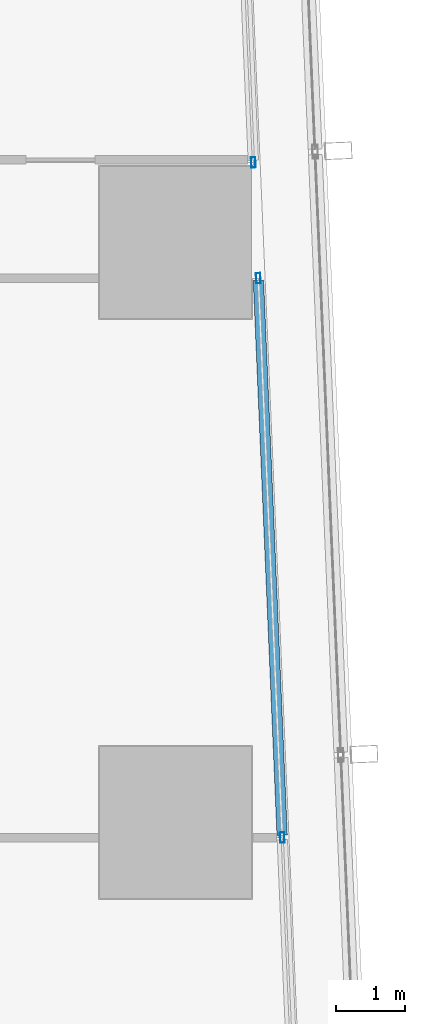
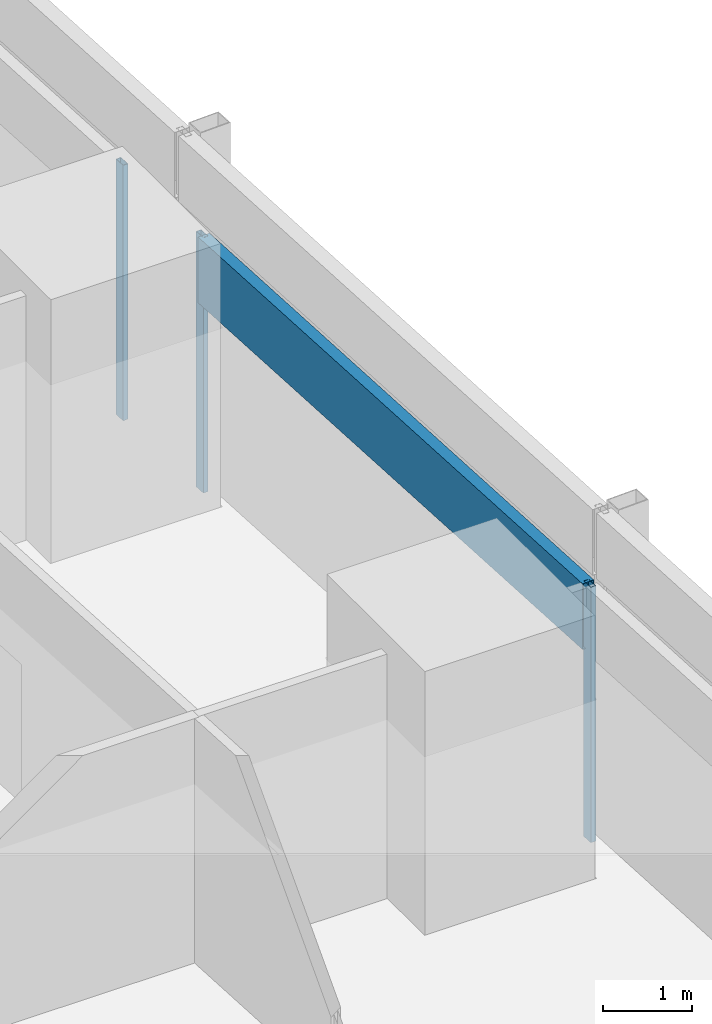
# One storey, part 20 of 44: 4 members, 2 elements without a shape of their own.
"""IFC4 building model written with IfcOpenShell, lengths in metres."""

import ifcopenshell
import ifcopenshell.guid

model = None  # the IFC model being written
_history = None  # IfcOwnerHistory: only IFC2X3 demands one
_inside = {}  # id of a spatial element -> (the spatial element, [elements in it])
_under = {}  # id of a project, library or spatial element -> (it, [spatial elements below it])
_declared = {}  # id of a project -> (the project, [libraries it declares])
_typed = {}  # id of a type object -> (the type object, [elements of that type])
_made_of = {}  # id of a material, layer set ... -> (it, [elements and type objects made of it])


def new_model(schema):
    """Start an empty IFC model of exactly this schema.

    Asked for "IFC4X3", IfcOpenShell would pick the latest addendum, in which some entities
    have other attributes; the version numbers below select the first issue.
    IFC2X3 requires an IfcOwnerHistory on every rooted entity: one is made here for all.
    """
    global model, _history
    if schema == "IFC4X3":
        model = ifcopenshell.file(schema_version=(4, 3, 0, 0))
    else:
        model = ifcopenshell.file(schema=schema)
    _inside.clear()
    _under.clear()
    _declared.clear()
    _typed.clear()
    _made_of.clear()
    _history = None
    if model.schema == "IFC2X3":
        org = make("IfcOrganization", Name="unknown")
        user = make(
            "IfcPersonAndOrganization",
            ThePerson=make("IfcPerson", FamilyName="unknown"),
            TheOrganization=org,
        )
        app = make(
            "IfcApplication",
            ApplicationDeveloper=org,
            Version="unknown",
            ApplicationFullName="unknown",
            ApplicationIdentifier="unknown",
        )
        _history = make(
            "IfcOwnerHistory",
            OwningUser=user,
            OwningApplication=app,
            ChangeAction="ADDED",
            CreationDate=0,
        )
    return model


def make(cls, **values):
    """One entity of the class cls with the attributes given. An attribute that is None is left unset."""
    return model.create_entity(
        cls, **{name: value for name, value in values.items() if value is not None}
    )


def rooted(cls, **values):
    """An entity with a GlobalId (a new one), such as an element, a storey or a relation."""
    return make(cls, GlobalId=ifcopenshell.guid.new(), OwnerHistory=_history, **values)


def si_unit(unit_type, name, prefix=None):
    """IfcSIUnit, for example si_unit("LENGTHUNIT", "METRE", prefix="MILLI")."""
    return make("IfcSIUnit", UnitType=unit_type, Prefix=prefix, Name=name)


def assignment(units):
    """IfcUnitAssignment: the units of a project."""
    return None if units is None else make("IfcUnitAssignment", Units=units)


def point(xyz):
    """IfcCartesianPoint."""
    return None if xyz is None else make("IfcCartesianPoint", Coordinates=xyz)


def direction(xyz):
    """IfcDirection."""
    return None if xyz is None else make("IfcDirection", DirectionRatios=xyz)


def frame(location, z_axis=None, x_axis=None):
    """IfcAxis2Placement3D, a coordinate frame: its origin and axes. An axis left out is left unset."""
    return make(
        "IfcAxis2Placement3D",
        Location=point(location),
        Axis=direction(z_axis),
        RefDirection=direction(x_axis),
    )


def frame_2d(location, x_axis=None):
    """IfcAxis2Placement2D, a coordinate frame in the plane: its origin and x axis."""
    return make(
        "IfcAxis2Placement2D", Location=point(location), RefDirection=direction(x_axis)
    )


def origin():
    """The frame at (0, 0, 0) with its axes left unset."""
    return frame((0.0, 0.0, 0.0))


def origin_2d():
    """The frame at (0, 0) in the plane with its x axis left unset."""
    return frame_2d((0.0, 0.0))


def place(relative_to, where):
    """IfcLocalPlacement: puts the frame where relative to a parent placement (None: the world)."""
    return make(
        "IfcLocalPlacement", PlacementRelTo=relative_to, RelativePlacement=where
    )


def context(
    kind, dimensions, precision=None, world=None, true_north=None, identifier=None
):
    """IfcGeometricRepresentationContext, for example the 3D "Model" context."""
    return make(
        "IfcGeometricRepresentationContext",
        ContextIdentifier=identifier,
        ContextType=kind,
        CoordinateSpaceDimension=dimensions,
        Precision=precision,
        WorldCoordinateSystem=world,
        TrueNorth=true_north,
    )


def subcontext(parent, identifier, kind, view, scale=None):
    """IfcGeometricRepresentationSubContext, for example "Body" below "Model"."""
    return make(
        "IfcGeometricRepresentationSubContext",
        ContextIdentifier=identifier,
        ContextType=kind,
        ParentContext=parent,
        TargetScale=scale,
        TargetView=view,
    )


def project(units=None, contexts=None):
    """IfcProject with its units and contexts."""
    return rooted(
        "IfcProject",
        Name="project",
        RepresentationContexts=contexts,
        UnitsInContext=assignment(units),
    )


def spatial(cls, under=None, at=None, **own):
    """A site, building, storey or space (cls), placed at a placement, below another one or the project."""
    s = rooted(cls, ObjectPlacement=at, **own)
    if under is not None:
        _under.setdefault(under.id(), (under, []))[1].append(s)
    return s


def profile(cls, at=None, kind="AREA", **sizes):
    """A parametric profile (cls). Its sizes go by their IFC names, for example OverallWidth=200.0."""
    return make(cls, ProfileType=kind, Position=at, **sizes)


def hollow_rectangle(**sizes):
    """IfcRectangleHollowProfileDef."""
    return profile("IfcRectangleHollowProfileDef", **sizes)


def extrude(swept, where, along, depth):
    """IfcExtrudedAreaSolid: the profile swept, set in the frame where, extruded along a direction by depth."""
    return make(
        "IfcExtrudedAreaSolid",
        SweptArea=swept,
        Position=where,
        ExtrudedDirection=direction(along),
        Depth=depth,
    )


def shape(context_of_items, identifier, shape_type, items):
    """IfcShapeRepresentation: the items that make up one representation, for example the "Body"."""
    return make(
        "IfcShapeRepresentation",
        ContextOfItems=context_of_items,
        RepresentationIdentifier=identifier,
        RepresentationType=shape_type,
        Items=items,
    )


def material(Name=None, Category=None):
    """IfcMaterial."""
    return make("IfcMaterial", Name=Name, Category=Category)


def material_profile(
    of_material, cross_section, Name=None, Category=None, Priority=None
):
    """IfcMaterialProfile: a cross section and its material."""
    return make(
        "IfcMaterialProfile",
        Name=Name,
        Material=of_material,
        Profile=cross_section,
        Priority=Priority,
        Category=Category,
    )


def profile_set(profiles, Name=None, composite=None):
    """IfcMaterialProfileSet."""
    return make(
        "IfcMaterialProfileSet",
        Name=Name,
        MaterialProfiles=profiles,
        CompositeProfile=composite,
    )


def made_of(thing, what):
    """Note that an element or type object is made of a material, layer set ...; save() writes the relation."""
    if what is not None:
        _made_of.setdefault(what.id(), (what, []))[1].append(thing)
    return thing


def type_object(cls, material=None, **own):
    """A type object (cls), such as IfcWallType, which elements share."""
    return made_of(rooted(cls, **own), material)


def element(
    cls,
    number,
    at=None,
    inside=None,
    cuts=None,
    type_object=None,
    material=None,
    context=None,
    identifier="Body",
    shape_type=None,
    held_by="IfcProductDefinitionShape",
    body=None,
    shapes=None,
    **own,
):
    """One element of the class cls, such as IfcWall. Its Tag is "e" and its number.

    at: its placement. inside: the storey or other place that contains it. cuts: it is an
    opening in that element (IfcRelVoidsElement). A single representation is given by context,
    identifier, shape_type and body (its items); several are given by shapes. held_by: the class
    of the entity that holds the representations. save() writes the other relations.
    """
    e = rooted(cls, Tag="e%d" % number, ObjectPlacement=at, **own)
    if body is not None:
        shapes = [shape(context, identifier, shape_type, body)]
    if shapes is not None:
        e.Representation = make(held_by, Representations=shapes)
    if inside is not None:
        _inside.setdefault(inside.id(), (inside, []))[1].append(e)
    if cuts is not None:
        rooted(
            "IfcRelVoidsElement", RelatingBuildingElement=cuts, RelatedOpeningElement=e
        )
    if type_object is not None:
        _typed.setdefault(type_object.id(), (type_object, []))[1].append(e)
    return made_of(e, material)


def aggregate(whole, parts):
    """IfcRelAggregates: a whole, such as a stair, and the parts it consists of."""
    return rooted("IfcRelAggregates", RelatingObject=whole, RelatedObjects=parts)


def save(model, path):
    """Write the relations noted so far, then the file.

    IfcRelAggregates (storeys below a building ...), IfcRelContainedInSpatialStructure (elements
    in a storey), IfcRelDefinesByType, IfcRelAssociatesMaterial and IfcRelDeclares: one each for
    every whole, place, type object, material and project.
    """
    for whole, parts in _under.values():
        aggregate(whole, parts)
    for where, things in _inside.values():
        rooted(
            "IfcRelContainedInSpatialStructure",
            RelatedElements=things,
            RelatingStructure=where,
        )
    for kind, things in _typed.values():
        rooted("IfcRelDefinesByType", RelatedObjects=things, RelatingType=kind)
    for what, things in _made_of.values():
        rooted("IfcRelAssociatesMaterial", RelatedObjects=things, RelatingMaterial=what)
    for by, libraries in _declared.values():
        rooted("IfcRelDeclares", RelatingContext=by, RelatedDefinitions=libraries)
    model.write(path)


model = new_model("IFC4")

# Units and contexts
model_context = context("Model", 3, precision=1e-05, world=origin(), true_north=direction((0.0, 1.0)))
body_context = subcontext(model_context, "Body", "Model", "MODEL_VIEW")
ifc_project = project(units=[si_unit("LENGTHUNIT", "METRE"), si_unit("AREAUNIT", "SQUARE_METRE"), si_unit("VOLUMEUNIT", "CUBIC_METRE"), si_unit("PLANEANGLEUNIT", "RADIAN"), si_unit("MASSUNIT", "GRAM", prefix="KILO")], contexts=[model_context])

# Site, building, storey
site_placement = place(None, origin())
site = spatial("IfcSite", under=ifc_project, at=site_placement, CompositionType="ELEMENT")
building_placement = place(site_placement, origin())
building = spatial("IfcBuilding", under=site, at=building_placement, Name="Rekha Terrace Tower", CompositionType="ELEMENT")
storey_placement = place(building_placement, frame((0.0, 0.0, 59.14990234375)))
storey = spatial("IfcBuildingStorey", under=building, at=storey_placement, Name="L14", CompositionType="ELEMENT", Elevation=59.14990234375)

# Curtain wall, members
ifc_material_1 = material(Name="Aluminium framing", Category="aluminium")
curtain_wall_type = type_object("IfcCurtainWallType", Name="CW1 double skin inner glazing", PredefinedType="USERDEFINED", material=ifc_material_1)
curtain_wall_1_placement = place(storey_placement, origin())
curtain_wall_1 = element("IfcCurtainWall", 1, at=curtain_wall_1_placement, inside=storey, type_object=curtain_wall_type, Name="CW1 double skin inner glazing", ObjectType="DOUBLE SKIN INNER GLAZING", PredefinedType="USERDEFINED")
ifc_material_2 = material(Name="Aluminium mullion section", Category="aluminium")
ifc_material_profile_1 = material_profile(ifc_material_2, hollow_rectangle(XDim=0.06494140625, YDim=0.14990234375, WallThickness=0.00390625, at=origin_2d()), Name="AL RHS 65x150")
ifc_profile_set_1 = profile_set([ifc_material_profile_1], Name="Aluminium mullion section")
member_type_1 = type_object("IfcMemberType", Name="CW1 mullion RHS 65 x 150", PredefinedType="MULLION", material=ifc_profile_set_1)
member_1_placement = place(storey_placement, frame((68.7431640625, 41.781494140625, 0.0), z_axis=(0.0, 0.0, 1.0), x_axis=(-0.999088106904, -0.042696072921, 0.0)))
member_1 = element("IfcMember", 2, at=member_1_placement, type_object=member_type_1, Name="CW1 mullion 3", PredefinedType="MULLION", context=body_context, shape_type="SweptSolid", body=[
    extrude(hollow_rectangle(XDim=0.06494140625, YDim=0.14990234375, WallThickness=0.00390625, at=origin_2d()), origin(), (0.0, 0.0, 1.0), 3.5),
])
member_2_placement = place(storey_placement, frame((68.397216796875, 49.8798828125, 0.0), z_axis=(0.0, 0.0, 1.0), x_axis=(-0.999088106904, -0.042696072921, 0.0)))
member_2 = element("IfcMember", 3, at=member_2_placement, type_object=member_type_1, Name="CW1 mullion 4", PredefinedType="MULLION", context=body_context, shape_type="SweptSolid", body=[
    extrude(hollow_rectangle(XDim=0.06494140625, YDim=0.14990234375, WallThickness=0.00390625, at=origin_2d()), origin(), (0.0, 0.0, 1.0), 3.5),
])

# Curtain wall, member
curtain_wall_2_placement = place(storey_placement, origin())
curtain_wall_2 = element("IfcCurtainWall", 4, at=curtain_wall_2_placement, inside=storey, type_object=curtain_wall_type, Name="CW1 double skin inner glazing", ObjectType="DOUBLE SKIN INNER GLAZING", PredefinedType="USERDEFINED")
member_3_placement = place(storey_placement, frame((68.325439453125, 51.556396484375, 0.0), z_axis=(0.0, 0.0, 1.0), x_axis=(-0.9990881069, -0.042696073026, 0.0)))
member_3 = element("IfcMember", 5, at=member_3_placement, type_object=member_type_1, Name="CW1 mullion 1", PredefinedType="MULLION", context=body_context, shape_type="SweptSolid", body=[
    extrude(hollow_rectangle(XDim=0.06494140625, YDim=0.14990234375, WallThickness=0.00390625, at=origin_2d()), origin(), (0.0, 0.0, 1.0), 3.5),
])
aggregate(curtain_wall_2, [member_3])

# Member
ifc_material_3 = material(Name="Insulated aluminium spandrel box", Category="aluminium")
ifc_material_profile_2 = material_profile(ifc_material_3, hollow_rectangle(XDim=0.14990234375, YDim=0.89990234375, WallThickness=0.0029296875, at=origin_2d()), Name="AL SPANDREL BOX 150x900")
ifc_profile_set_2 = profile_set([ifc_material_profile_2], Name="Insulated aluminium spandrel box")
member_type_2 = type_object("IfcMemberType", Name="CW1 spandrel transom 150 x 900", PredefinedType="USERDEFINED", material=ifc_profile_set_2)
member_4_placement = place(storey_placement, frame((68.741943359375, 41.81396484375, 3.050048828125), z_axis=(-0.042720422486, 0.999087066027, 0.0), x_axis=(-0.999087066027, -0.042720422486, 0.0)))
member_4 = element("IfcMember", 6, at=member_4_placement, type_object=member_type_2, Name="CW1 spandrel transom 3", ObjectType="TRANSOM", PredefinedType="USERDEFINED", context=body_context, shape_type="SweptSolid", body=[
    extrude(hollow_rectangle(XDim=0.14990234375, YDim=0.89990234375, WallThickness=0.0029296875, at=origin_2d()), origin(), (0.0, 0.0, 1.0), 8.040771484375),
])

aggregate(curtain_wall_1, [member_1, member_2, member_4])

save(model, "model.ifc")
